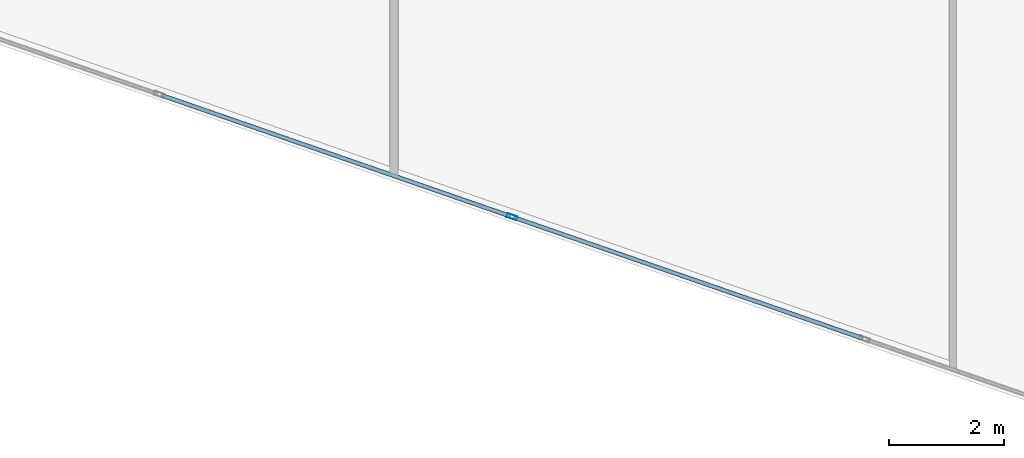
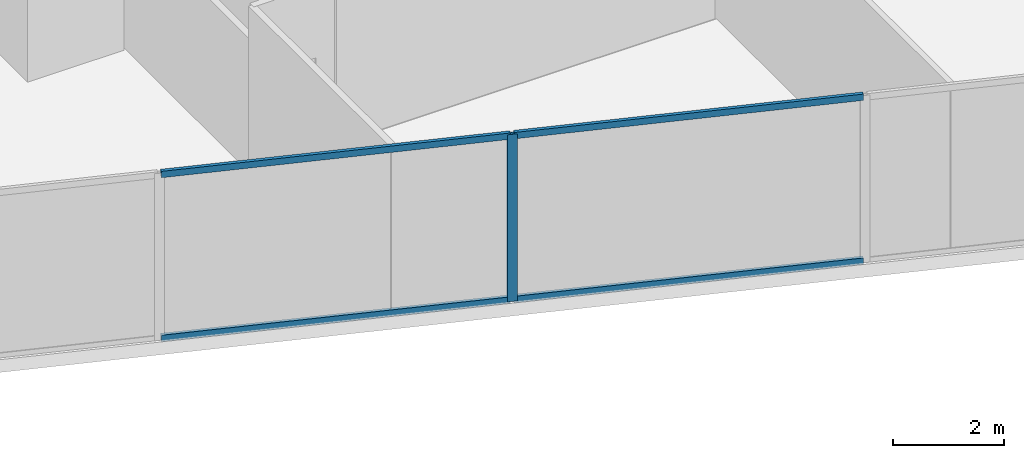
# One storey, part 3 of 28: 5 members, 1 element without a shape of its own.
"""IFC4 building model written with IfcOpenShell, lengths in metres."""

import ifcopenshell
import ifcopenshell.guid

model = None  # the IFC model being written
_history = None  # IfcOwnerHistory: only IFC2X3 demands one
_inside = {}  # id of a spatial element -> (the spatial element, [elements in it])
_under = {}  # id of a project, library or spatial element -> (it, [spatial elements below it])
_declared = {}  # id of a project -> (the project, [libraries it declares])
_typed = {}  # id of a type object -> (the type object, [elements of that type])
_made_of = {}  # id of a material, layer set ... -> (it, [elements and type objects made of it])


def new_model(schema):
    """Start an empty IFC model of exactly this schema.

    Asked for "IFC4X3", IfcOpenShell would pick the latest addendum, in which some entities
    have other attributes; the version numbers below select the first issue.
    IFC2X3 requires an IfcOwnerHistory on every rooted entity: one is made here for all.
    """
    global model, _history
    if schema == "IFC4X3":
        model = ifcopenshell.file(schema_version=(4, 3, 0, 0))
    else:
        model = ifcopenshell.file(schema=schema)
    _inside.clear()
    _under.clear()
    _declared.clear()
    _typed.clear()
    _made_of.clear()
    _history = None
    if model.schema == "IFC2X3":
        org = make("IfcOrganization", Name="unknown")
        user = make(
            "IfcPersonAndOrganization",
            ThePerson=make("IfcPerson", FamilyName="unknown"),
            TheOrganization=org,
        )
        app = make(
            "IfcApplication",
            ApplicationDeveloper=org,
            Version="unknown",
            ApplicationFullName="unknown",
            ApplicationIdentifier="unknown",
        )
        _history = make(
            "IfcOwnerHistory",
            OwningUser=user,
            OwningApplication=app,
            ChangeAction="ADDED",
            CreationDate=0,
        )
    return model


def make(cls, **values):
    """One entity of the class cls with the attributes given. An attribute that is None is left unset."""
    return model.create_entity(
        cls, **{name: value for name, value in values.items() if value is not None}
    )


def rooted(cls, **values):
    """An entity with a GlobalId (a new one), such as an element, a storey or a relation."""
    return make(cls, GlobalId=ifcopenshell.guid.new(), OwnerHistory=_history, **values)


def si_unit(unit_type, name, prefix=None):
    """IfcSIUnit, for example si_unit("LENGTHUNIT", "METRE", prefix="MILLI")."""
    return make("IfcSIUnit", UnitType=unit_type, Prefix=prefix, Name=name)


def assignment(units):
    """IfcUnitAssignment: the units of a project."""
    return None if units is None else make("IfcUnitAssignment", Units=units)


def point(xyz):
    """IfcCartesianPoint."""
    return None if xyz is None else make("IfcCartesianPoint", Coordinates=xyz)


def direction(xyz):
    """IfcDirection."""
    return None if xyz is None else make("IfcDirection", DirectionRatios=xyz)


def frame(location, z_axis=None, x_axis=None):
    """IfcAxis2Placement3D, a coordinate frame: its origin and axes. An axis left out is left unset."""
    return make(
        "IfcAxis2Placement3D",
        Location=point(location),
        Axis=direction(z_axis),
        RefDirection=direction(x_axis),
    )


def frame_2d(location, x_axis=None):
    """IfcAxis2Placement2D, a coordinate frame in the plane: its origin and x axis."""
    return make(
        "IfcAxis2Placement2D", Location=point(location), RefDirection=direction(x_axis)
    )


def origin():
    """The frame at (0, 0, 0) with its axes left unset."""
    return frame((0.0, 0.0, 0.0))


def origin_2d():
    """The frame at (0, 0) in the plane with its x axis left unset."""
    return frame_2d((0.0, 0.0))


def place(relative_to, where):
    """IfcLocalPlacement: puts the frame where relative to a parent placement (None: the world)."""
    return make(
        "IfcLocalPlacement", PlacementRelTo=relative_to, RelativePlacement=where
    )


def context(
    kind, dimensions, precision=None, world=None, true_north=None, identifier=None
):
    """IfcGeometricRepresentationContext, for example the 3D "Model" context."""
    return make(
        "IfcGeometricRepresentationContext",
        ContextIdentifier=identifier,
        ContextType=kind,
        CoordinateSpaceDimension=dimensions,
        Precision=precision,
        WorldCoordinateSystem=world,
        TrueNorth=true_north,
    )


def subcontext(parent, identifier, kind, view, scale=None):
    """IfcGeometricRepresentationSubContext, for example "Body" below "Model"."""
    return make(
        "IfcGeometricRepresentationSubContext",
        ContextIdentifier=identifier,
        ContextType=kind,
        ParentContext=parent,
        TargetScale=scale,
        TargetView=view,
    )


def project(units=None, contexts=None):
    """IfcProject with its units and contexts."""
    return rooted(
        "IfcProject",
        Name="project",
        RepresentationContexts=contexts,
        UnitsInContext=assignment(units),
    )


def spatial(cls, under=None, at=None, **own):
    """A site, building, storey or space (cls), placed at a placement, below another one or the project."""
    s = rooted(cls, ObjectPlacement=at, **own)
    if under is not None:
        _under.setdefault(under.id(), (under, []))[1].append(s)
    return s


def profile(cls, at=None, kind="AREA", **sizes):
    """A parametric profile (cls). Its sizes go by their IFC names, for example OverallWidth=200.0."""
    return make(cls, ProfileType=kind, Position=at, **sizes)


def hollow_rectangle(**sizes):
    """IfcRectangleHollowProfileDef."""
    return profile("IfcRectangleHollowProfileDef", **sizes)


def extrude(swept, where, along, depth):
    """IfcExtrudedAreaSolid: the profile swept, set in the frame where, extruded along a direction by depth."""
    return make(
        "IfcExtrudedAreaSolid",
        SweptArea=swept,
        Position=where,
        ExtrudedDirection=direction(along),
        Depth=depth,
    )


def shape(context_of_items, identifier, shape_type, items):
    """IfcShapeRepresentation: the items that make up one representation, for example the "Body"."""
    return make(
        "IfcShapeRepresentation",
        ContextOfItems=context_of_items,
        RepresentationIdentifier=identifier,
        RepresentationType=shape_type,
        Items=items,
    )


def source(mapping_origin, context_of_items, identifier, shape_type, items):
    """IfcRepresentationMap: a shape defined once, which mapped items show again and again."""
    return make(
        "IfcRepresentationMap",
        MappingOrigin=mapping_origin,
        MappedRepresentation=shape(context_of_items, identifier, shape_type, items),
    )


def transform(
    local_origin,
    x_axis=None,
    y_axis=None,
    z_axis=None,
    scale=None,
    scale2=None,
    scale3=None,
    uniform=True,
):
    """IfcCartesianTransformationOperator3D, or its non-uniform kind. x_axis, y_axis, z_axis: its Axis1, 2, 3."""
    if uniform:
        return make(
            "IfcCartesianTransformationOperator3D",
            Axis1=direction(x_axis),
            Axis2=direction(y_axis),
            LocalOrigin=point(local_origin),
            Scale=scale,
            Axis3=direction(z_axis),
        )
    return make(
        "IfcCartesianTransformationOperator3DnonUniform",
        Axis1=direction(x_axis),
        Axis2=direction(y_axis),
        LocalOrigin=point(local_origin),
        Scale=scale,
        Axis3=direction(z_axis),
        Scale2=scale2,
        Scale3=scale3,
    )


def mapped(mapping_source, mapping_target):
    """IfcMappedItem: shows the shape of a source again, moved by a transform."""
    return make(
        "IfcMappedItem", MappingSource=mapping_source, MappingTarget=mapping_target
    )


def material(Name=None, Category=None):
    """IfcMaterial."""
    return make("IfcMaterial", Name=Name, Category=Category)


def material_profile(
    of_material, cross_section, Name=None, Category=None, Priority=None
):
    """IfcMaterialProfile: a cross section and its material."""
    return make(
        "IfcMaterialProfile",
        Name=Name,
        Material=of_material,
        Profile=cross_section,
        Priority=Priority,
        Category=Category,
    )


def profile_set(profiles, Name=None, composite=None):
    """IfcMaterialProfileSet."""
    return make(
        "IfcMaterialProfileSet",
        Name=Name,
        MaterialProfiles=profiles,
        CompositeProfile=composite,
    )


def made_of(thing, what):
    """Note that an element or type object is made of a material, layer set ...; save() writes the relation."""
    if what is not None:
        _made_of.setdefault(what.id(), (what, []))[1].append(thing)
    return thing


def type_object(cls, material=None, **own):
    """A type object (cls), such as IfcWallType, which elements share."""
    return made_of(rooted(cls, **own), material)


def type_shapes(of_type, sources):
    """Give a type object the sources (RepresentationMaps) that its elements show as mapped items."""
    of_type.RepresentationMaps = sources


def element(
    cls,
    number,
    at=None,
    inside=None,
    cuts=None,
    type_object=None,
    material=None,
    context=None,
    identifier="Body",
    shape_type=None,
    held_by="IfcProductDefinitionShape",
    body=None,
    shapes=None,
    **own,
):
    """One element of the class cls, such as IfcWall. Its Tag is "e" and its number.

    at: its placement. inside: the storey or other place that contains it. cuts: it is an
    opening in that element (IfcRelVoidsElement). A single representation is given by context,
    identifier, shape_type and body (its items); several are given by shapes. held_by: the class
    of the entity that holds the representations. save() writes the other relations.
    """
    e = rooted(cls, Tag="e%d" % number, ObjectPlacement=at, **own)
    if body is not None:
        shapes = [shape(context, identifier, shape_type, body)]
    if shapes is not None:
        e.Representation = make(held_by, Representations=shapes)
    if inside is not None:
        _inside.setdefault(inside.id(), (inside, []))[1].append(e)
    if cuts is not None:
        rooted(
            "IfcRelVoidsElement", RelatingBuildingElement=cuts, RelatedOpeningElement=e
        )
    if type_object is not None:
        _typed.setdefault(type_object.id(), (type_object, []))[1].append(e)
    return made_of(e, material)


def aggregate(whole, parts):
    """IfcRelAggregates: a whole, such as a stair, and the parts it consists of."""
    return rooted("IfcRelAggregates", RelatingObject=whole, RelatedObjects=parts)


def save(model, path):
    """Write the relations noted so far, then the file.

    IfcRelAggregates (storeys below a building ...), IfcRelContainedInSpatialStructure (elements
    in a storey), IfcRelDefinesByType, IfcRelAssociatesMaterial and IfcRelDeclares: one each for
    every whole, place, type object, material and project.
    """
    for whole, parts in _under.values():
        aggregate(whole, parts)
    for where, things in _inside.values():
        rooted(
            "IfcRelContainedInSpatialStructure",
            RelatedElements=things,
            RelatingStructure=where,
        )
    for kind, things in _typed.values():
        rooted("IfcRelDefinesByType", RelatedObjects=things, RelatingType=kind)
    for what, things in _made_of.values():
        rooted("IfcRelAssociatesMaterial", RelatedObjects=things, RelatingMaterial=what)
    for by, libraries in _declared.values():
        rooted("IfcRelDeclares", RelatingContext=by, RelatedDefinitions=libraries)
    model.write(path)


model = new_model("IFC4")

# Units and contexts
model_context = context("Model", 3, precision=1e-05, world=origin(), true_north=direction((0.0, 1.0)))
body_context = subcontext(model_context, "Body", "Model", "MODEL_VIEW")
ifc_project = project(units=[si_unit("LENGTHUNIT", "METRE"), si_unit("AREAUNIT", "SQUARE_METRE"), si_unit("VOLUMEUNIT", "CUBIC_METRE"), si_unit("PLANEANGLEUNIT", "RADIAN"), si_unit("MASSUNIT", "GRAM", prefix="KILO")], contexts=[model_context])

# Site, building, storey
site_placement = place(None, origin())
site = spatial("IfcSite", under=ifc_project, at=site_placement, CompositionType="ELEMENT")
building_placement = place(site_placement, origin())
building = spatial("IfcBuilding", under=site, at=building_placement, Name="Krantzveldt Concourse Tower", CompositionType="ELEMENT")
storey_placement = place(building_placement, frame((0.0, 0.0, 117.699951171875)))
storey = spatial("IfcBuildingStorey", under=building, at=storey_placement, Name="L28", CompositionType="ELEMENT", Elevation=117.699951171875)

# Curtain wall, members
ifc_material = material(Name="Anodised aluminium 6063-T6", Category="aluminium")
curtain_wall_type = type_object("IfcCurtainWallType", Name="CW2", PredefinedType="USERDEFINED", material=ifc_material)
curtain_wall_placement = place(storey_placement, origin())
curtain_wall = element("IfcCurtainWall", 1, at=curtain_wall_placement, inside=storey, type_object=curtain_wall_type, Name="CW-L28-F04", ObjectType="UNITISED CURTAIN WALL", PredefinedType="USERDEFINED")
ifc_material_profile_1 = material_profile(ifc_material, hollow_rectangle(XDim=0.070068359375, YDim=0.179931640625, WallThickness=0.0048828125, at=origin_2d()), Name="Anodised aluminium 6063-T6", Category="aluminium")
ifc_profile_set_1 = profile_set([ifc_material_profile_1], Name="Anodised aluminium 6063-T6 - ALU-MULL 180x70x5")
member_type_1 = type_object("IfcMemberType", Name="CW-MUL-180", PredefinedType="MULLION", material=ifc_profile_set_1)
shared_shape_1 = source(origin(), body_context, "Body", "SweptSolid", [
    extrude(hollow_rectangle(XDim=0.070068359375, YDim=0.179931640625, WallThickness=0.0048828125, at=origin_2d()), origin(), (0.0, 0.0, 1.0), 3.670166015625),
])
type_shapes(member_type_1, [shared_shape_1])
member_1_placement = place(storey_placement, frame((28.363037109375, 4.676513671875, 0.0), z_axis=(0.0, 0.0, 1.0), x_axis=(0.32763019404, 0.944806041446, 0.0)))
member_1 = element("IfcMember", 2, at=member_1_placement, type_object=member_type_1, Name="CW-Z12 mullion 4", PredefinedType="MULLION", context=body_context, shape_type="MappedRepresentation", body=[
    mapped(shared_shape_1, transform((0.0, 0.0, 0.0), x_axis=(1.0, 0.0, 0.0), y_axis=(0.0, 1.0, 0.0), z_axis=(0.0, 0.0, 1.0), scale=1.0)),
])
ifc_material_profile_2 = material_profile(ifc_material, hollow_rectangle(XDim=0.070068359375, YDim=0.139892578125, WallThickness=0.0048828125, at=origin_2d()), Name="Anodised aluminium 6063-T6", Category="aluminium")
ifc_profile_set_2 = profile_set([ifc_material_profile_2], Name="Anodised aluminium 6063-T6 - ALU-TRAN 140x70x5")
member_type_2 = type_object("IfcMemberType", Name="CW-TRN-150", PredefinedType="USERDEFINED", material=ifc_profile_set_2)
shared_shape_2 = source(origin(), body_context, "Body", "SweptSolid", [
    extrude(hollow_rectangle(XDim=0.070068359375, YDim=0.139892578125, WallThickness=0.0048828125, at=origin_2d()), origin(), (0.0, 0.0, 1.0), 6.396728515625),
])
member_2_placement = place(storey_placement, frame((28.39599609375, 4.6650390625, 0.03515625), z_axis=(0.944809422525, -0.327620443666, 0.0), x_axis=(0.327620443666, 0.944809422525, 0.0)))
member_2 = element("IfcMember", 3, at=member_2_placement, type_object=member_type_2, Name="CW-Z12 transom 4.1", ObjectType="TRANSOM", PredefinedType="USERDEFINED", context=body_context, shape_type="MappedRepresentation", body=[
    mapped(shared_shape_2, transform((0.0, 0.0, 0.0), x_axis=(1.0, 0.0, 0.0), y_axis=(0.0, 1.0, 0.0), z_axis=(0.0, 0.0, 1.0), scale=1.0)),
])
member_3_placement = place(storey_placement, frame((28.39599609375, 4.6650390625, 3.635009765625), z_axis=(0.944809422525, -0.327620443666, 0.0), x_axis=(0.327620443666, 0.944809422525, 0.0)))
member_3 = element("IfcMember", 4, at=member_3_placement, type_object=member_type_2, Name="CW-Z12 transom 4.2", ObjectType="TRANSOM", PredefinedType="USERDEFINED", context=body_context, shape_type="MappedRepresentation", body=[
    mapped(shared_shape_2, transform((0.0, 0.0, 0.0), x_axis=(1.0, 0.0, 0.0), y_axis=(0.0, 1.0, 0.0), z_axis=(0.0, 0.0, 1.0), scale=1.0)),
])
shared_shape_3 = source(origin(), body_context, "Body", "SweptSolid", [
    extrude(hollow_rectangle(XDim=0.070068359375, YDim=0.139892578125, WallThickness=0.0048828125, at=origin_2d()), origin(), (0.0, 0.0, 1.0), 6.396484375),
])
type_shapes(member_type_2, [shared_shape_2, shared_shape_3])
member_4_placement = place(storey_placement, frame((22.286376953125, 6.78369140625, 0.03515625), z_axis=(0.944805325706, -0.327632258054, 0.0), x_axis=(0.327632258054, 0.944805325706, 0.0)))
member_4 = element("IfcMember", 5, at=member_4_placement, type_object=member_type_2, Name="CW-Z12 transom 3.1", ObjectType="TRANSOM", PredefinedType="USERDEFINED", context=body_context, shape_type="MappedRepresentation", body=[
    mapped(shared_shape_3, transform((0.0, 0.0, 0.0), x_axis=(1.0, 0.0, 0.0), y_axis=(0.0, 1.0, 0.0), z_axis=(0.0, 0.0, 1.0), scale=1.0)),
])
member_5_placement = place(storey_placement, frame((22.286376953125, 6.78369140625, 3.635009765625), z_axis=(0.944805325706, -0.327632258054, 0.0), x_axis=(0.327632258054, 0.944805325706, 0.0)))
member_5 = element("IfcMember", 6, at=member_5_placement, type_object=member_type_2, Name="CW-Z12 transom 3.2", ObjectType="TRANSOM", PredefinedType="USERDEFINED", context=body_context, shape_type="MappedRepresentation", body=[
    mapped(shared_shape_3, transform((0.0, 0.0, 0.0), x_axis=(1.0, 0.0, 0.0), y_axis=(0.0, 1.0, 0.0), z_axis=(0.0, 0.0, 1.0), scale=1.0)),
])
aggregate(curtain_wall, [member_1, member_4, member_5, member_2, member_3])

save(model, "model.ifc")
